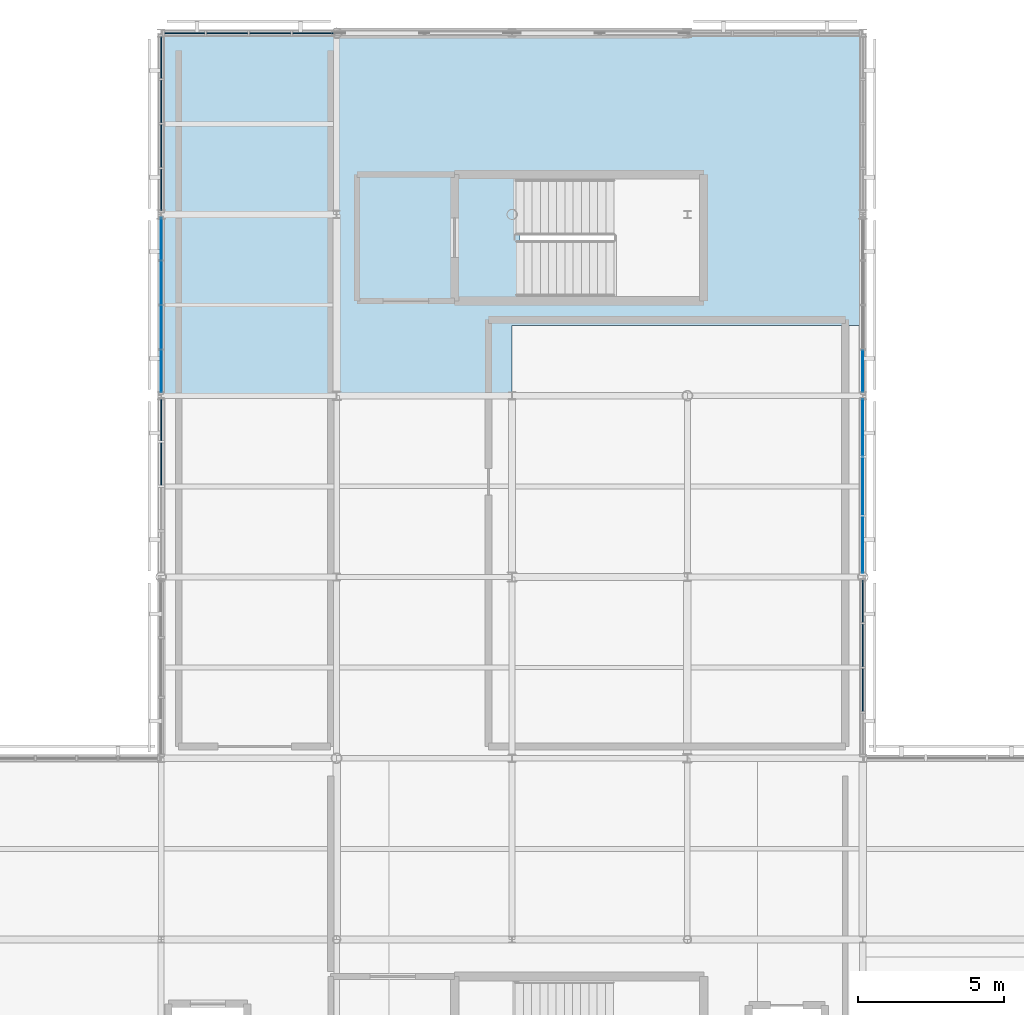
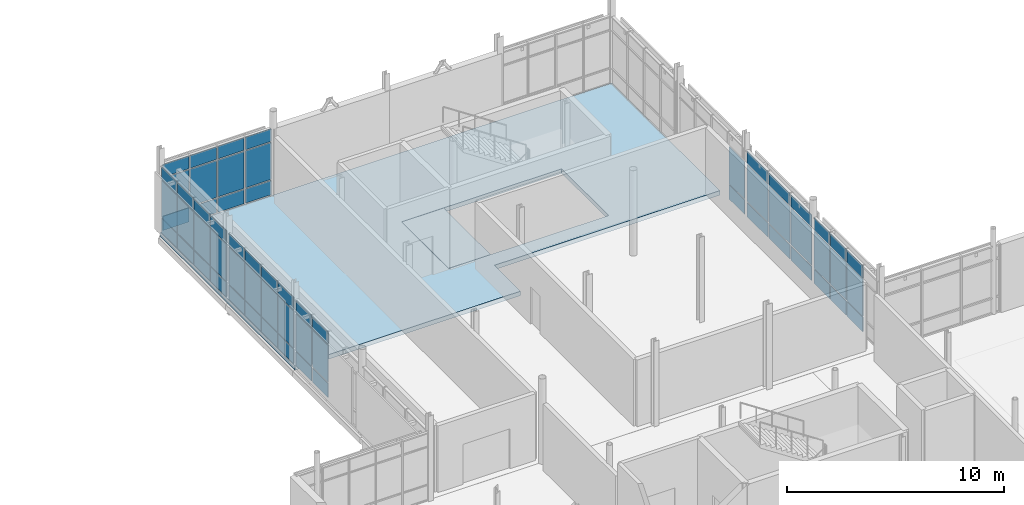
# One storey, part 41 of 66: 62 plates, 2 slabs, 7 elements without a shape of their own.
"""IFC4 building model written with IfcOpenShell, lengths in metres."""

from ifc_helpers import new_model, si_unit, direction, frame, origin, origin_2d, place, context, subcontext, project, spatial, polyline, rectangle, outline, extrude, material, layer, layer_set, type_object, element, aggregate, save


model = new_model("IFC4")

# Units and contexts
model_context = context("Model", 3, precision=1e-05, world=origin(), true_north=direction((0.0, 1.0)))
body_context = subcontext(model_context, "Body", "Model", "MODEL_VIEW")
ifc_project = project(units=[si_unit("LENGTHUNIT", "METRE"), si_unit("AREAUNIT", "SQUARE_METRE"), si_unit("VOLUMEUNIT", "CUBIC_METRE"), si_unit("PLANEANGLEUNIT", "RADIAN"), si_unit("MASSUNIT", "GRAM", prefix="KILO")], contexts=[model_context])

# Site, building, storey
site_placement = place(None, origin())
site = spatial("IfcSite", under=ifc_project, at=site_placement, CompositionType="ELEMENT")
building_placement = place(site_placement, origin())
building = spatial("IfcBuilding", under=site, at=building_placement, Name="Mirzam Square Science Centre", CompositionType="ELEMENT")
storey_placement = place(building_placement, frame((0.0, 0.0, 15.60009765625)))
storey = spatial("IfcBuildingStorey", under=building, at=storey_placement, Name="L03", CompositionType="ELEMENT", Elevation=15.60009765625)

# Curtain wall, plates
ifc_material_1 = material(Name="Anodised Aluminium and Low-E Solar Glass", Category="aluminium")
ifc_layer_1 = layer(ifc_material_1, 0.159912109375)
ifc_layer_set_1 = layer_set([ifc_layer_1], Name="CW-COURT-B")
curtain_wall_type_1 = type_object("IfcCurtainWallType", Name="CW-COURT-B", PredefinedType="USERDEFINED", material=ifc_layer_set_1)
curtain_wall_1_placement = place(storey_placement, origin())
curtain_wall_1 = element("IfcCurtainWall", 1, at=curtain_wall_1_placement, inside=storey, type_object=curtain_wall_type_1, Name="L03 unitised curtain wall 142", ObjectType="UNITISED CURTAIN WALL", PredefinedType="USERDEFINED")
ifc_material_2 = material(Name="Ceramic-Fritted Courtyard Solar Glass", Category="glass")
ifc_layer_2 = layer(ifc_material_2, 0.02392578125)
ifc_layer_set_2 = layer_set([ifc_layer_2], Name="CWP-GLZ-24")
plate_type_1 = type_object("IfcPlateType", Name="CWP-GLZ-24", PredefinedType="CURTAIN_PANEL", material=ifc_layer_set_2)
plate_1_placement = place(storey_placement, frame((114.0, 104.56884765625, 0.059814453125), z_axis=(0.0, 0.0, 1.0), x_axis=(0.0, -1.0, 0.0)))
plate_1 = element("IfcPlate", 2, at=plate_1_placement, type_object=plate_type_1, Name="CW-04 panel 1.1", PredefinedType="CURTAIN_PANEL", context=body_context, shape_type="SweptSolid", body=[
    extrude(rectangle(XDim=1.4326171875, YDim=0.02392578125, at=origin_2d()), origin(), (0.0, 0.0, 1.0), 0.81005859375),
])
plate_2_placement = place(storey_placement, frame((114.0, 104.56884765625, 0.929931640625), z_axis=(0.0, 0.0, 1.0), x_axis=(0.0, -1.0, 0.0)))
plate_2 = element("IfcPlate", 3, at=plate_2_placement, type_object=plate_type_1, Name="CW-04 panel 1.2", PredefinedType="CURTAIN_PANEL", context=body_context, shape_type="SweptSolid", body=[
    extrude(rectangle(XDim=1.4326171875, YDim=0.02392578125, at=origin_2d()), origin(), (0.0, 0.0, 1.0), 2.080078125),
])
plate_3_placement = place(storey_placement, frame((114.0, 104.56884765625, 3.06982421875), z_axis=(0.0, 0.0, 1.0), x_axis=(0.0, -1.0, 0.0)))
plate_3 = element("IfcPlate", 4, at=plate_3_placement, type_object=plate_type_1, Name="CW-04 panel 1.3", PredefinedType="CURTAIN_PANEL", context=body_context, shape_type="SweptSolid", body=[
    extrude(rectangle(XDim=1.4326171875, YDim=0.02392578125, at=origin_2d()), origin(), (0.0, 0.0, 1.0), 0.7099609375),
])
plate_4_placement = place(storey_placement, frame((114.0, 103.061279296875, 0.059814453125), z_axis=(0.0, 0.0, 1.0), x_axis=(0.0, -1.0, 0.0)))
plate_4 = element("IfcPlate", 5, at=plate_4_placement, type_object=plate_type_1, Name="CW-04 panel 2.1", PredefinedType="CURTAIN_PANEL", context=body_context, shape_type="SweptSolid", body=[
    extrude(rectangle(XDim=1.46240234375, YDim=0.02392578125, at=origin_2d()), origin(), (0.0, 0.0, 1.0), 0.81005859375),
])
plate_5_placement = place(storey_placement, frame((114.0, 103.061279296875, 0.929931640625), z_axis=(0.0, 0.0, 1.0), x_axis=(0.0, -1.0, 0.0)))
plate_5 = element("IfcPlate", 6, at=plate_5_placement, type_object=plate_type_1, Name="CW-04 panel 2.2", PredefinedType="CURTAIN_PANEL", context=body_context, shape_type="SweptSolid", body=[
    extrude(rectangle(XDim=1.46240234375, YDim=0.02392578125, at=origin_2d()), origin(), (0.0, 0.0, 1.0), 2.080078125),
])
plate_6_placement = place(storey_placement, frame((114.0, 103.061279296875, 3.06982421875), z_axis=(0.0, 0.0, 1.0), x_axis=(0.0, -1.0, 0.0)))
plate_6 = element("IfcPlate", 7, at=plate_6_placement, type_object=plate_type_1, Name="CW-04 panel 2.3", PredefinedType="CURTAIN_PANEL", context=body_context, shape_type="SweptSolid", body=[
    extrude(rectangle(XDim=1.46240234375, YDim=0.02392578125, at=origin_2d()), origin(), (0.0, 0.0, 1.0), 0.7099609375),
])
plate_7_placement = place(storey_placement, frame((114.0, 101.538818359375, 0.059814453125), z_axis=(0.0, 0.0, 1.0), x_axis=(0.0, -1.0, 0.0)))
plate_7 = element("IfcPlate", 8, at=plate_7_placement, type_object=plate_type_1, Name="CW-04 panel 3.1", PredefinedType="CURTAIN_PANEL", context=body_context, shape_type="SweptSolid", body=[
    extrude(rectangle(XDim=1.46240234375, YDim=0.02392578125, at=origin_2d()), origin(), (0.0, 0.0, 1.0), 0.81005859375),
])
plate_8_placement = place(storey_placement, frame((114.0, 101.538818359375, 0.929931640625), z_axis=(0.0, 0.0, 1.0), x_axis=(0.0, -1.0, 0.0)))
plate_8 = element("IfcPlate", 9, at=plate_8_placement, type_object=plate_type_1, Name="CW-04 panel 3.2", PredefinedType="CURTAIN_PANEL", context=body_context, shape_type="SweptSolid", body=[
    extrude(rectangle(XDim=1.46240234375, YDim=0.02392578125, at=origin_2d()), origin(), (0.0, 0.0, 1.0), 2.080078125),
])
plate_9_placement = place(storey_placement, frame((114.0, 101.538818359375, 3.06982421875), z_axis=(0.0, 0.0, 1.0), x_axis=(0.0, -1.0, 0.0)))
plate_9 = element("IfcPlate", 10, at=plate_9_placement, type_object=plate_type_1, Name="CW-04 panel 3.3", PredefinedType="CURTAIN_PANEL", context=body_context, shape_type="SweptSolid", body=[
    extrude(rectangle(XDim=1.46240234375, YDim=0.02392578125, at=origin_2d()), origin(), (0.0, 0.0, 1.0), 0.7099609375),
])
plate_10_placement = place(storey_placement, frame((114.0, 100.03125, 0.059814453125), z_axis=(0.0, 0.0, 1.0), x_axis=(0.0, -1.0, 0.0)))
plate_10 = element("IfcPlate", 11, at=plate_10_placement, type_object=plate_type_1, Name="CW-04 panel 4.1", PredefinedType="CURTAIN_PANEL", context=body_context, shape_type="SweptSolid", body=[
    extrude(rectangle(XDim=1.4326171875, YDim=0.02392578125, at=origin_2d()), origin(), (0.0, 0.0, 1.0), 0.81005859375),
])
plate_11_placement = place(storey_placement, frame((114.0, 100.03125, 0.929931640625), z_axis=(0.0, 0.0, 1.0), x_axis=(0.0, -1.0, 0.0)))
plate_11 = element("IfcPlate", 12, at=plate_11_placement, type_object=plate_type_1, Name="CW-04 panel 4.2", PredefinedType="CURTAIN_PANEL", context=body_context, shape_type="SweptSolid", body=[
    extrude(rectangle(XDim=1.4326171875, YDim=0.02392578125, at=origin_2d()), origin(), (0.0, 0.0, 1.0), 2.080078125),
])
plate_12_placement = place(storey_placement, frame((114.0, 100.03125, 3.06982421875), z_axis=(0.0, 0.0, 1.0), x_axis=(0.0, -1.0, 0.0)))
plate_12 = element("IfcPlate", 13, at=plate_12_placement, type_object=plate_type_1, Name="CW-04 panel 4.3", PredefinedType="CURTAIN_PANEL", context=body_context, shape_type="SweptSolid", body=[
    extrude(rectangle(XDim=1.4326171875, YDim=0.02392578125, at=origin_2d()), origin(), (0.0, 0.0, 1.0), 0.7099609375),
])
aggregate(curtain_wall_1, [plate_1, plate_2, plate_3, plate_4, plate_5, plate_6, plate_7, plate_8, plate_9, plate_10, plate_11, plate_12])

ifc_layer_3 = layer(ifc_material_1, 0.239990234375)
ifc_layer_set_3 = layer_set([ifc_layer_3], Name="CW-EAST-B")
curtain_wall_type_2 = type_object("IfcCurtainWallType", Name="CW-EAST-B", PredefinedType="USERDEFINED", material=ifc_layer_set_3)
curtain_wall_2_placement = place(storey_placement, origin())
curtain_wall_2 = element("IfcCurtainWall", 14, at=curtain_wall_2_placement, inside=storey, type_object=curtain_wall_type_2, Name="L03 unitised curtain wall 141", ObjectType="UNITISED CURTAIN WALL", PredefinedType="USERDEFINED")
ifc_material_3 = material(Name="Double-Silver Low-E Insulated Solar Glass", Category="glass")
ifc_layer_4 = layer(ifc_material_3, 0.028076171875)
ifc_layer_set_4 = layer_set([ifc_layer_4], Name="CWP-GLZ-28")
plate_type_2 = type_object("IfcPlateType", Name="CWP-GLZ-28", PredefinedType="CURTAIN_PANEL", material=ifc_layer_set_4)
plate_13_placement = place(storey_placement, frame((138.0, 94.0888671875, 0.074951171875), z_axis=(0.0, 0.0, 1.0), x_axis=(0.0, 1.0, 0.0)))
plate_13 = element("IfcPlate", 15, at=plate_13_placement, type_object=plate_type_2, Name="CW-06 panel 1.1", PredefinedType="CURTAIN_PANEL", context=body_context, shape_type="SweptSolid", body=[
    extrude(rectangle(XDim=1.91748046875, YDim=0.028076171875, at=origin_2d()), origin(), (0.0, 0.0, 1.0), 0.78759765625),
])
plate_14_placement = place(storey_placement, frame((138.0, 94.0888671875, 0.9375), z_axis=(0.0, 0.0, 1.0), x_axis=(0.0, 1.0, 0.0)))
plate_14 = element("IfcPlate", 16, at=plate_14_placement, type_object=plate_type_2, Name="CW-06 panel 1.2", PredefinedType="CURTAIN_PANEL", context=body_context, shape_type="SweptSolid", body=[
    extrude(rectangle(XDim=1.91748046875, YDim=0.028076171875, at=origin_2d()), origin(), (0.0, 0.0, 1.0), 2.06494140625),
])
plate_15_placement = place(storey_placement, frame((138.0, 94.0888671875, 3.077392578125), z_axis=(0.0, 0.0, 1.0), x_axis=(0.0, 1.0, 0.0)))
plate_15 = element("IfcPlate", 17, at=plate_15_placement, type_object=plate_type_2, Name="CW-06 panel 1.3", PredefinedType="CURTAIN_PANEL", context=body_context, shape_type="SweptSolid", body=[
    extrude(rectangle(XDim=1.91748046875, YDim=0.028076171875, at=origin_2d()), origin(), (0.0, 0.0, 1.0), 0.6875),
])
plate_16_placement = place(storey_placement, frame((138.0, 96.10009765625, 0.074951171875), z_axis=(0.0, 0.0, 1.0), x_axis=(0.0, 1.0, 0.0)))
plate_16 = element("IfcPlate", 18, at=plate_16_placement, type_object=plate_type_2, Name="CW-06 panel 2.1", PredefinedType="CURTAIN_PANEL", context=body_context, shape_type="SweptSolid", body=[
    extrude(rectangle(XDim=1.955078125, YDim=0.028076171875, at=origin_2d()), origin(), (0.0, 0.0, 1.0), 0.78759765625),
])
plate_17_placement = place(storey_placement, frame((138.0, 96.10009765625, 0.9375), z_axis=(0.0, 0.0, 1.0), x_axis=(0.0, 1.0, 0.0)))
plate_17 = element("IfcPlate", 19, at=plate_17_placement, type_object=plate_type_2, Name="CW-06 panel 2.2", PredefinedType="CURTAIN_PANEL", context=body_context, shape_type="SweptSolid", body=[
    extrude(rectangle(XDim=1.955078125, YDim=0.028076171875, at=origin_2d()), origin(), (0.0, 0.0, 1.0), 2.06494140625),
])
plate_18_placement = place(storey_placement, frame((138.0, 96.10009765625, 3.077392578125), z_axis=(0.0, 0.0, 1.0), x_axis=(0.0, 1.0, 0.0)))
plate_18 = element("IfcPlate", 20, at=plate_18_placement, type_object=plate_type_2, Name="CW-06 panel 2.3", PredefinedType="CURTAIN_PANEL", context=body_context, shape_type="SweptSolid", body=[
    extrude(rectangle(XDim=1.955078125, YDim=0.028076171875, at=origin_2d()), origin(), (0.0, 0.0, 1.0), 0.6875),
])
plate_19_placement = place(storey_placement, frame((138.0, 98.111328125, 0.074951171875), z_axis=(0.0, 0.0, 1.0), x_axis=(0.0, 1.0, 0.0)))
plate_19 = element("IfcPlate", 21, at=plate_19_placement, type_object=plate_type_2, Name="CW-06 panel 3.1", PredefinedType="CURTAIN_PANEL", context=body_context, shape_type="SweptSolid", body=[
    extrude(rectangle(XDim=1.91748046875, YDim=0.028076171875, at=origin_2d()), origin(), (0.0, 0.0, 1.0), 0.78759765625),
])
plate_20_placement = place(storey_placement, frame((138.0, 98.111328125, 0.9375), z_axis=(0.0, 0.0, 1.0), x_axis=(0.0, 1.0, 0.0)))
plate_20 = element("IfcPlate", 22, at=plate_20_placement, type_object=plate_type_2, Name="CW-06 panel 3.2", PredefinedType="CURTAIN_PANEL", context=body_context, shape_type="SweptSolid", body=[
    extrude(rectangle(XDim=1.91748046875, YDim=0.028076171875, at=origin_2d()), origin(), (0.0, 0.0, 1.0), 2.06494140625),
])
plate_21_placement = place(storey_placement, frame((138.0, 98.111328125, 3.077392578125), z_axis=(0.0, 0.0, 1.0), x_axis=(0.0, 1.0, 0.0)))
plate_21 = element("IfcPlate", 23, at=plate_21_placement, type_object=plate_type_2, Name="CW-06 panel 3.3", PredefinedType="CURTAIN_PANEL", context=body_context, shape_type="SweptSolid", body=[
    extrude(rectangle(XDim=1.91748046875, YDim=0.028076171875, at=origin_2d()), origin(), (0.0, 0.0, 1.0), 0.6875),
])
aggregate(curtain_wall_2, [plate_13, plate_14, plate_15, plate_16, plate_17, plate_18, plate_19, plate_20, plate_21])

ifc_layer_5 = layer(ifc_material_1, 0.219970703125)
ifc_layer_set_5 = layer_set([ifc_layer_5], Name="CW-OBS-A")
curtain_wall_type_3 = type_object("IfcCurtainWallType", Name="CW-OBS-A", PredefinedType="USERDEFINED", material=ifc_layer_set_5)
curtain_wall_3_placement = place(storey_placement, origin())
curtain_wall_3 = element("IfcCurtainWall", 24, at=curtain_wall_3_placement, inside=storey, type_object=curtain_wall_type_3, Name="L03 unitised curtain wall 143", ObjectType="UNITISED CURTAIN WALL", PredefinedType="USERDEFINED")
ifc_material_4 = material(Name="Triple-Glazed Acoustic Low-E Solar Glass", Category="glass")
ifc_layer_6 = layer(ifc_material_4, 0.031982421875)
ifc_layer_set_6 = layer_set([ifc_layer_6], Name="CWP-GLZ-32")
plate_type_3 = type_object("IfcPlateType", Name="CWP-GLZ-32", PredefinedType="CURTAIN_PANEL", material=ifc_layer_set_6)
plate_22_placement = place(storey_placement, frame((138.0, 100.03125, 0.059814453125), z_axis=(0.0, 0.0, 1.0), x_axis=(0.0, 1.0, 0.0)))
plate_22 = element("IfcPlate", 25, at=plate_22_placement, type_object=plate_type_3, Name="CW-07 panel 1.1", PredefinedType="CURTAIN_PANEL", context=body_context, shape_type="SweptSolid", body=[
    extrude(rectangle(XDim=1.4326171875, YDim=0.031982421875, at=origin_2d()), origin(), (0.0, 0.0, 1.0), 0.81005859375),
])
plate_23_placement = place(storey_placement, frame((138.0, 100.03125, 0.929931640625), z_axis=(0.0, 0.0, 1.0), x_axis=(0.0, 1.0, 0.0)))
plate_23 = element("IfcPlate", 26, at=plate_23_placement, type_object=plate_type_3, Name="CW-07 panel 1.2", PredefinedType="CURTAIN_PANEL", context=body_context, shape_type="SweptSolid", body=[
    extrude(rectangle(XDim=1.4326171875, YDim=0.031982421875, at=origin_2d()), origin(), (0.0, 0.0, 1.0), 2.080078125),
])
aggregate(curtain_wall_3, [plate_22, plate_23])

ifc_layer_7 = layer(ifc_material_1, 0.159912109375)
ifc_layer_set_7 = layer_set([ifc_layer_7], Name="CW-COURT-A")
curtain_wall_type_4 = type_object("IfcCurtainWallType", Name="CW-COURT-A", PredefinedType="USERDEFINED", material=ifc_layer_set_7)
curtain_wall_4_placement = place(storey_placement, origin())
curtain_wall_4 = element("IfcCurtainWall", 27, at=curtain_wall_4_placement, inside=storey, type_object=curtain_wall_type_4, Name="L03 unitised curtain wall 140", ObjectType="UNITISED CURTAIN WALL", PredefinedType="USERDEFINED")
ifc_material_5 = material(Name="Laminated Low-Iron Observatory Solar Glass", Category="glass")
ifc_layer_8 = layer(ifc_material_5, 0.035888671875)
ifc_layer_set_8 = layer_set([ifc_layer_8], Name="CWP-GLZ-36")
plate_type_4 = type_object("IfcPlateType", Name="CWP-GLZ-36", PredefinedType="CURTAIN_PANEL", material=ifc_layer_set_8)
plate_24_placement = place(storey_placement, frame((114.0, 98.364990234375, 0.074951171875), z_axis=(0.0, 0.0, 1.0), x_axis=(0.0, -1.0, 0.0)))
plate_24 = element("IfcPlate", 28, at=plate_24_placement, type_object=plate_type_4, Name="CW-03 panel 1.1", PredefinedType="CURTAIN_PANEL", context=body_context, shape_type="SweptSolid", body=[
    extrude(rectangle(XDim=1.409912109375, YDim=0.035888671875, at=origin_2d()), origin(), (0.0, 0.0, 1.0), 0.78759765625),
])
plate_25_placement = place(storey_placement, frame((114.0, 98.364990234375, 0.9375), z_axis=(0.0, 0.0, 1.0), x_axis=(0.0, -1.0, 0.0)))
plate_25 = element("IfcPlate", 29, at=plate_25_placement, type_object=plate_type_4, Name="CW-03 panel 1.2", PredefinedType="CURTAIN_PANEL", context=body_context, shape_type="SweptSolid", body=[
    extrude(rectangle(XDim=1.409912109375, YDim=0.035888671875, at=origin_2d()), origin(), (0.0, 0.0, 1.0), 2.06494140625),
])
plate_26_placement = place(storey_placement, frame((114.0, 98.364990234375, 3.077392578125), z_axis=(0.0, 0.0, 1.0), x_axis=(0.0, -1.0, 0.0)))
plate_26 = element("IfcPlate", 30, at=plate_26_placement, type_object=plate_type_4, Name="CW-03 panel 1.3", PredefinedType="CURTAIN_PANEL", context=body_context, shape_type="SweptSolid", body=[
    extrude(rectangle(XDim=1.409912109375, YDim=0.035888671875, at=origin_2d()), origin(), (0.0, 0.0, 1.0), 0.6875),
])
plate_27_placement = place(storey_placement, frame((114.0, 96.861328125, 0.074951171875), z_axis=(0.0, 0.0, 1.0), x_axis=(0.0, -1.0, 0.0)))
plate_27 = element("IfcPlate", 31, at=plate_27_placement, type_object=plate_type_4, Name="CW-03 panel 2.1", PredefinedType="CURTAIN_PANEL", context=body_context, shape_type="SweptSolid", body=[
    extrude(rectangle(XDim=1.447509765625, YDim=0.035888671875, at=origin_2d()), origin(), (0.0, 0.0, 1.0), 0.78759765625),
])
plate_28_placement = place(storey_placement, frame((114.0, 96.861328125, 0.9375), z_axis=(0.0, 0.0, 1.0), x_axis=(0.0, -1.0, 0.0)))
plate_28 = element("IfcPlate", 32, at=plate_28_placement, type_object=plate_type_4, Name="CW-03 panel 2.2", PredefinedType="CURTAIN_PANEL", context=body_context, shape_type="SweptSolid", body=[
    extrude(rectangle(XDim=1.447509765625, YDim=0.035888671875, at=origin_2d()), origin(), (0.0, 0.0, 1.0), 2.06494140625),
])
plate_29_placement = place(storey_placement, frame((114.0, 96.861328125, 3.077392578125), z_axis=(0.0, 0.0, 1.0), x_axis=(0.0, -1.0, 0.0)))
plate_29 = element("IfcPlate", 33, at=plate_29_placement, type_object=plate_type_4, Name="CW-03 panel 2.3", PredefinedType="CURTAIN_PANEL", context=body_context, shape_type="SweptSolid", body=[
    extrude(rectangle(XDim=1.447509765625, YDim=0.035888671875, at=origin_2d()), origin(), (0.0, 0.0, 1.0), 0.6875),
])
aggregate(curtain_wall_4, [plate_24, plate_25, plate_26, plate_27, plate_28, plate_29])

curtain_wall_5_placement = place(storey_placement, origin())
curtain_wall_5 = element("IfcCurtainWall", 34, at=curtain_wall_5_placement, inside=storey, type_object=curtain_wall_type_1, Name="L03 unitised curtain wall 136", ObjectType="UNITISED CURTAIN WALL", PredefinedType="USERDEFINED")
ifc_material_6 = material(Name="Acoustic Laminated Solar Spandrel Glass", Category="glass")
ifc_layer_9 = layer(ifc_material_6, 0.0400390625)
ifc_layer_set_9 = layer_set([ifc_layer_9], Name="CWP-GLZ-40")
plate_type_5 = type_object("IfcPlateType", Name="CWP-GLZ-40", PredefinedType="CURTAIN_PANEL", material=ifc_layer_set_9)
plate_30_placement = place(storey_placement, frame((119.1923828125, 111.60009765625, 0.06494140625), z_axis=(0.0, 0.0, 1.0), x_axis=(-1.0, 0.0, 0.0)))
plate_30 = element("IfcPlate", 35, at=plate_30_placement, type_object=plate_type_5, Name="CW-04 panel 1.1", PredefinedType="CURTAIN_PANEL", context=body_context, shape_type="SweptSolid", body=[
    extrude(rectangle(XDim=1.375, YDim=0.0400390625, at=origin_2d()), origin(), (0.0, 0.0, 1.0), 0.802490234375),
])
plate_31_placement = place(storey_placement, frame((119.1923828125, 111.60009765625, 0.9326171875), z_axis=(0.0, 0.0, 1.0), x_axis=(-1.0, 0.0, 0.0)))
plate_31 = element("IfcPlate", 36, at=plate_31_placement, type_object=plate_type_5, Name="CW-04 panel 1.2", PredefinedType="CURTAIN_PANEL", context=body_context, shape_type="SweptSolid", body=[
    extrude(rectangle(XDim=1.375, YDim=0.0400390625, at=origin_2d()), origin(), (0.0, 0.0, 1.0), 2.074951171875),
])
plate_32_placement = place(storey_placement, frame((119.1923828125, 111.60009765625, 3.072265625), z_axis=(0.0, 0.0, 1.0), x_axis=(-1.0, 0.0, 0.0)))
plate_32 = element("IfcPlate", 37, at=plate_32_placement, type_object=plate_type_5, Name="CW-04 panel 1.3", PredefinedType="CURTAIN_PANEL", context=body_context, shape_type="SweptSolid", body=[
    extrude(rectangle(XDim=1.375, YDim=0.0400390625, at=origin_2d()), origin(), (0.0, 0.0, 1.0), 0.702392578125),
])
plate_33_placement = place(storey_placement, frame((117.736328125, 111.60009765625, 0.06494140625), z_axis=(0.0, 0.0, 1.0), x_axis=(-1.0, 0.0, 0.0)))
plate_33 = element("IfcPlate", 38, at=plate_33_placement, type_object=plate_type_5, Name="CW-04 panel 2.1", PredefinedType="CURTAIN_PANEL", context=body_context, shape_type="SweptSolid", body=[
    extrude(rectangle(XDim=1.407470703125, YDim=0.0400390625, at=origin_2d()), origin(), (0.0, 0.0, 1.0), 0.802490234375),
])
plate_34_placement = place(storey_placement, frame((117.736328125, 111.60009765625, 0.9326171875), z_axis=(0.0, 0.0, 1.0), x_axis=(-1.0, 0.0, 0.0)))
plate_34 = element("IfcPlate", 39, at=plate_34_placement, type_object=plate_type_5, Name="CW-04 panel 2.2", PredefinedType="CURTAIN_PANEL", context=body_context, shape_type="SweptSolid", body=[
    extrude(rectangle(XDim=1.407470703125, YDim=0.0400390625, at=origin_2d()), origin(), (0.0, 0.0, 1.0), 2.074951171875),
])
plate_35_placement = place(storey_placement, frame((117.736328125, 111.60009765625, 3.072265625), z_axis=(0.0, 0.0, 1.0), x_axis=(-1.0, 0.0, 0.0)))
plate_35 = element("IfcPlate", 40, at=plate_35_placement, type_object=plate_type_5, Name="CW-04 panel 2.3", PredefinedType="CURTAIN_PANEL", context=body_context, shape_type="SweptSolid", body=[
    extrude(rectangle(XDim=1.407470703125, YDim=0.0400390625, at=origin_2d()), origin(), (0.0, 0.0, 1.0), 0.702392578125),
])
plate_36_placement = place(storey_placement, frame((116.263671875, 111.60009765625, 0.06494140625), z_axis=(0.0, 0.0, 1.0), x_axis=(-1.0, 0.0, 0.0)))
plate_36 = element("IfcPlate", 41, at=plate_36_placement, type_object=plate_type_5, Name="CW-04 panel 3.1", PredefinedType="CURTAIN_PANEL", context=body_context, shape_type="SweptSolid", body=[
    extrude(rectangle(XDim=1.407470703125, YDim=0.0400390625, at=origin_2d()), origin(), (0.0, 0.0, 1.0), 0.802490234375),
])
plate_37_placement = place(storey_placement, frame((116.263671875, 111.60009765625, 0.9326171875), z_axis=(0.0, 0.0, 1.0), x_axis=(-1.0, 0.0, 0.0)))
plate_37 = element("IfcPlate", 42, at=plate_37_placement, type_object=plate_type_5, Name="CW-04 panel 3.2", PredefinedType="CURTAIN_PANEL", context=body_context, shape_type="SweptSolid", body=[
    extrude(rectangle(XDim=1.407470703125, YDim=0.0400390625, at=origin_2d()), origin(), (0.0, 0.0, 1.0), 2.074951171875),
])
plate_38_placement = place(storey_placement, frame((116.263671875, 111.60009765625, 3.072265625), z_axis=(0.0, 0.0, 1.0), x_axis=(-1.0, 0.0, 0.0)))
plate_38 = element("IfcPlate", 43, at=plate_38_placement, type_object=plate_type_5, Name="CW-04 panel 3.3", PredefinedType="CURTAIN_PANEL", context=body_context, shape_type="SweptSolid", body=[
    extrude(rectangle(XDim=1.407470703125, YDim=0.0400390625, at=origin_2d()), origin(), (0.0, 0.0, 1.0), 0.702392578125),
])
plate_39_placement = place(storey_placement, frame((114.8076171875, 111.60009765625, 0.06494140625), z_axis=(0.0, 0.0, 1.0), x_axis=(-1.0, 0.0, 0.0)))
plate_39 = element("IfcPlate", 44, at=plate_39_placement, type_object=plate_type_5, Name="CW-04 panel 4.1", PredefinedType="CURTAIN_PANEL", context=body_context, shape_type="SweptSolid", body=[
    extrude(rectangle(XDim=1.375, YDim=0.0400390625, at=origin_2d()), origin(), (0.0, 0.0, 1.0), 0.802490234375),
])
plate_40_placement = place(storey_placement, frame((114.8076171875, 111.60009765625, 0.9326171875), z_axis=(0.0, 0.0, 1.0), x_axis=(-1.0, 0.0, 0.0)))
plate_40 = element("IfcPlate", 45, at=plate_40_placement, type_object=plate_type_5, Name="CW-04 panel 4.2", PredefinedType="CURTAIN_PANEL", context=body_context, shape_type="SweptSolid", body=[
    extrude(rectangle(XDim=1.375, YDim=0.0400390625, at=origin_2d()), origin(), (0.0, 0.0, 1.0), 2.074951171875),
])
plate_41_placement = place(storey_placement, frame((114.8076171875, 111.60009765625, 3.072265625), z_axis=(0.0, 0.0, 1.0), x_axis=(-1.0, 0.0, 0.0)))
plate_41 = element("IfcPlate", 46, at=plate_41_placement, type_object=plate_type_5, Name="CW-04 panel 4.3", PredefinedType="CURTAIN_PANEL", context=body_context, shape_type="SweptSolid", body=[
    extrude(rectangle(XDim=1.375, YDim=0.0400390625, at=origin_2d()), origin(), (0.0, 0.0, 1.0), 0.702392578125),
])
aggregate(curtain_wall_5, [plate_30, plate_31, plate_32, plate_33, plate_34, plate_35, plate_36, plate_37, plate_38, plate_39, plate_40, plate_41])

ifc_layer_10 = layer(ifc_material_1, 0.199951171875)
ifc_layer_set_10 = layer_set([ifc_layer_10], Name="CW-EAST-A")
curtain_wall_type_5 = type_object("IfcCurtainWallType", Name="CW-EAST-A", PredefinedType="USERDEFINED", material=ifc_layer_set_10)
curtain_wall_6_placement = place(storey_placement, origin())
curtain_wall_6 = element("IfcCurtainWall", 47, at=curtain_wall_6_placement, inside=storey, type_object=curtain_wall_type_5, Name="L03 unitised curtain wall 139", ObjectType="UNITISED CURTAIN WALL", PredefinedType="USERDEFINED")
plate_42_placement = place(storey_placement, frame((138.0, 89.138671875, 0.06494140625), z_axis=(0.0, 0.0, 1.0), x_axis=(0.0, 1.0, 0.0)))
plate_42 = element("IfcPlate", 48, at=plate_42_placement, type_object=plate_type_5, Name="CW-05 panel 2.1", PredefinedType="CURTAIN_PANEL", context=body_context, shape_type="SweptSolid", body=[
    extrude(rectangle(XDim=1.45751953125, YDim=0.0400390625, at=origin_2d()), origin(), (0.0, 0.0, 1.0), 0.802490234375),
])
plate_43_placement = place(storey_placement, frame((138.0, 89.138671875, 0.9326171875), z_axis=(0.0, 0.0, 1.0), x_axis=(0.0, 1.0, 0.0)))
plate_43 = element("IfcPlate", 49, at=plate_43_placement, type_object=plate_type_5, Name="CW-05 panel 2.2", PredefinedType="CURTAIN_PANEL", context=body_context, shape_type="SweptSolid", body=[
    extrude(rectangle(XDim=1.45751953125, YDim=0.0400390625, at=origin_2d()), origin(), (0.0, 0.0, 1.0), 2.074951171875),
])
plate_44_placement = place(storey_placement, frame((138.0, 89.138671875, 3.072265625), z_axis=(0.0, 0.0, 1.0), x_axis=(0.0, 1.0, 0.0)))
plate_44 = element("IfcPlate", 50, at=plate_44_placement, type_object=plate_type_5, Name="CW-05 panel 2.3", PredefinedType="CURTAIN_PANEL", context=body_context, shape_type="SweptSolid", body=[
    extrude(rectangle(XDim=1.45751953125, YDim=0.0400390625, at=origin_2d()), origin(), (0.0, 0.0, 1.0), 0.702392578125),
])
plate_45_placement = place(storey_placement, frame((138.0, 90.6611328125, 0.06494140625), z_axis=(0.0, 0.0, 1.0), x_axis=(0.0, 1.0, 0.0)))
plate_45 = element("IfcPlate", 51, at=plate_45_placement, type_object=plate_type_5, Name="CW-05 panel 3.1", PredefinedType="CURTAIN_PANEL", context=body_context, shape_type="SweptSolid", body=[
    extrude(rectangle(XDim=1.45751953125, YDim=0.0400390625, at=origin_2d()), origin(), (0.0, 0.0, 1.0), 0.802490234375),
])
plate_46_placement = place(storey_placement, frame((138.0, 90.6611328125, 0.9326171875), z_axis=(0.0, 0.0, 1.0), x_axis=(0.0, 1.0, 0.0)))
plate_46 = element("IfcPlate", 52, at=plate_46_placement, type_object=plate_type_5, Name="CW-05 panel 3.2", PredefinedType="CURTAIN_PANEL", context=body_context, shape_type="SweptSolid", body=[
    extrude(rectangle(XDim=1.45751953125, YDim=0.0400390625, at=origin_2d()), origin(), (0.0, 0.0, 1.0), 2.074951171875),
])
plate_47_placement = place(storey_placement, frame((138.0, 90.6611328125, 3.072265625), z_axis=(0.0, 0.0, 1.0), x_axis=(0.0, 1.0, 0.0)))
plate_47 = element("IfcPlate", 53, at=plate_47_placement, type_object=plate_type_5, Name="CW-05 panel 3.3", PredefinedType="CURTAIN_PANEL", context=body_context, shape_type="SweptSolid", body=[
    extrude(rectangle(XDim=1.45751953125, YDim=0.0400390625, at=origin_2d()), origin(), (0.0, 0.0, 1.0), 0.702392578125),
])
plate_48_placement = place(storey_placement, frame((138.0, 92.16748046875, 0.06494140625), z_axis=(0.0, 0.0, 1.0), x_axis=(0.0, 1.0, 0.0)))
plate_48 = element("IfcPlate", 54, at=plate_48_placement, type_object=plate_type_5, Name="CW-05 panel 4.1", PredefinedType="CURTAIN_PANEL", context=body_context, shape_type="SweptSolid", body=[
    extrude(rectangle(XDim=1.425048828125, YDim=0.0400390625, at=origin_2d()), origin(), (0.0, 0.0, 1.0), 0.802490234375),
])
plate_49_placement = place(storey_placement, frame((138.0, 92.16748046875, 0.9326171875), z_axis=(0.0, 0.0, 1.0), x_axis=(0.0, 1.0, 0.0)))
plate_49 = element("IfcPlate", 55, at=plate_49_placement, type_object=plate_type_5, Name="CW-05 panel 4.2", PredefinedType="CURTAIN_PANEL", context=body_context, shape_type="SweptSolid", body=[
    extrude(rectangle(XDim=1.425048828125, YDim=0.0400390625, at=origin_2d()), origin(), (0.0, 0.0, 1.0), 2.074951171875),
])
plate_50_placement = place(storey_placement, frame((138.0, 92.16748046875, 3.072265625), z_axis=(0.0, 0.0, 1.0), x_axis=(0.0, 1.0, 0.0)))
plate_50 = element("IfcPlate", 56, at=plate_50_placement, type_object=plate_type_5, Name="CW-05 panel 4.3", PredefinedType="CURTAIN_PANEL", context=body_context, shape_type="SweptSolid", body=[
    extrude(rectangle(XDim=1.425048828125, YDim=0.0400390625, at=origin_2d()), origin(), (0.0, 0.0, 1.0), 0.702392578125),
])
aggregate(curtain_wall_6, [plate_42, plate_43, plate_44, plate_45, plate_46, plate_47, plate_48, plate_49, plate_50])

curtain_wall_7_placement = place(storey_placement, origin())
curtain_wall_7 = element("IfcCurtainWall", 57, at=curtain_wall_7_placement, inside=storey, type_object=curtain_wall_type_5, Name="L03 unitised curtain wall 144", ObjectType="UNITISED CURTAIN WALL", PredefinedType="USERDEFINED")
plate_51_placement = place(storey_placement, frame((114.0, 110.767578125, 0.06494140625), z_axis=(0.0, 0.0, 1.0), x_axis=(0.0, -1.0, 0.0)))
plate_51 = element("IfcPlate", 58, at=plate_51_placement, type_object=plate_type_5, Name="CW-05 panel 1.1", PredefinedType="CURTAIN_PANEL", context=body_context, shape_type="SweptSolid", body=[
    extrude(rectangle(XDim=1.425048828125, YDim=0.0400390625, at=origin_2d()), origin(), (0.0, 0.0, 1.0), 0.802490234375),
])
plate_52_placement = place(storey_placement, frame((114.0, 110.767578125, 0.9326171875), z_axis=(0.0, 0.0, 1.0), x_axis=(0.0, -1.0, 0.0)))
plate_52 = element("IfcPlate", 59, at=plate_52_placement, type_object=plate_type_5, Name="CW-05 panel 1.2", PredefinedType="CURTAIN_PANEL", context=body_context, shape_type="SweptSolid", body=[
    extrude(rectangle(XDim=1.425048828125, YDim=0.0400390625, at=origin_2d()), origin(), (0.0, 0.0, 1.0), 2.074951171875),
])
plate_53_placement = place(storey_placement, frame((114.0, 110.767578125, 3.072265625), z_axis=(0.0, 0.0, 1.0), x_axis=(0.0, -1.0, 0.0)))
plate_53 = element("IfcPlate", 60, at=plate_53_placement, type_object=plate_type_5, Name="CW-05 panel 1.3", PredefinedType="CURTAIN_PANEL", context=body_context, shape_type="SweptSolid", body=[
    extrude(rectangle(XDim=1.425048828125, YDim=0.0400390625, at=origin_2d()), origin(), (0.0, 0.0, 1.0), 0.702392578125),
])
plate_54_placement = place(storey_placement, frame((114.0, 109.26123046875, 0.06494140625), z_axis=(0.0, 0.0, 1.0), x_axis=(0.0, -1.0, 0.0)))
plate_54 = element("IfcPlate", 61, at=plate_54_placement, type_object=plate_type_5, Name="CW-05 panel 2.1", PredefinedType="CURTAIN_PANEL", context=body_context, shape_type="SweptSolid", body=[
    extrude(rectangle(XDim=1.45751953125, YDim=0.0400390625, at=origin_2d()), origin(), (0.0, 0.0, 1.0), 0.802490234375),
])
plate_55_placement = place(storey_placement, frame((114.0, 109.26123046875, 0.9326171875), z_axis=(0.0, 0.0, 1.0), x_axis=(0.0, -1.0, 0.0)))
plate_55 = element("IfcPlate", 62, at=plate_55_placement, type_object=plate_type_5, Name="CW-05 panel 2.2", PredefinedType="CURTAIN_PANEL", context=body_context, shape_type="SweptSolid", body=[
    extrude(rectangle(XDim=1.45751953125, YDim=0.0400390625, at=origin_2d()), origin(), (0.0, 0.0, 1.0), 2.074951171875),
])
plate_56_placement = place(storey_placement, frame((114.0, 109.26123046875, 3.072265625), z_axis=(0.0, 0.0, 1.0), x_axis=(0.0, -1.0, 0.0)))
plate_56 = element("IfcPlate", 63, at=plate_56_placement, type_object=plate_type_5, Name="CW-05 panel 2.3", PredefinedType="CURTAIN_PANEL", context=body_context, shape_type="SweptSolid", body=[
    extrude(rectangle(XDim=1.45751953125, YDim=0.0400390625, at=origin_2d()), origin(), (0.0, 0.0, 1.0), 0.702392578125),
])
plate_57_placement = place(storey_placement, frame((114.0, 107.73876953125, 0.06494140625), z_axis=(0.0, 0.0, 1.0), x_axis=(0.0, -1.0, 0.0)))
plate_57 = element("IfcPlate", 64, at=plate_57_placement, type_object=plate_type_5, Name="CW-05 panel 3.1", PredefinedType="CURTAIN_PANEL", context=body_context, shape_type="SweptSolid", body=[
    extrude(rectangle(XDim=1.45751953125, YDim=0.0400390625, at=origin_2d()), origin(), (0.0, 0.0, 1.0), 0.802490234375),
])
plate_58_placement = place(storey_placement, frame((114.0, 107.73876953125, 0.9326171875), z_axis=(0.0, 0.0, 1.0), x_axis=(0.0, -1.0, 0.0)))
plate_58 = element("IfcPlate", 65, at=plate_58_placement, type_object=plate_type_5, Name="CW-05 panel 3.2", PredefinedType="CURTAIN_PANEL", context=body_context, shape_type="SweptSolid", body=[
    extrude(rectangle(XDim=1.45751953125, YDim=0.0400390625, at=origin_2d()), origin(), (0.0, 0.0, 1.0), 2.074951171875),
])
plate_59_placement = place(storey_placement, frame((114.0, 107.73876953125, 3.072265625), z_axis=(0.0, 0.0, 1.0), x_axis=(0.0, -1.0, 0.0)))
plate_59 = element("IfcPlate", 66, at=plate_59_placement, type_object=plate_type_5, Name="CW-05 panel 3.3", PredefinedType="CURTAIN_PANEL", context=body_context, shape_type="SweptSolid", body=[
    extrude(rectangle(XDim=1.45751953125, YDim=0.0400390625, at=origin_2d()), origin(), (0.0, 0.0, 1.0), 0.702392578125),
])
plate_60_placement = place(storey_placement, frame((114.0, 106.232421875, 0.06494140625), z_axis=(0.0, 0.0, 1.0), x_axis=(0.0, -1.0, 0.0)))
plate_60 = element("IfcPlate", 67, at=plate_60_placement, type_object=plate_type_5, Name="CW-05 panel 4.1", PredefinedType="CURTAIN_PANEL", context=body_context, shape_type="SweptSolid", body=[
    extrude(rectangle(XDim=1.425048828125, YDim=0.0400390625, at=origin_2d()), origin(), (0.0, 0.0, 1.0), 0.802490234375),
])
plate_61_placement = place(storey_placement, frame((114.0, 106.232421875, 0.9326171875), z_axis=(0.0, 0.0, 1.0), x_axis=(0.0, -1.0, 0.0)))
plate_61 = element("IfcPlate", 68, at=plate_61_placement, type_object=plate_type_5, Name="CW-05 panel 4.2", PredefinedType="CURTAIN_PANEL", context=body_context, shape_type="SweptSolid", body=[
    extrude(rectangle(XDim=1.425048828125, YDim=0.0400390625, at=origin_2d()), origin(), (0.0, 0.0, 1.0), 2.074951171875),
])
plate_62_placement = place(storey_placement, frame((114.0, 106.232421875, 3.072265625), z_axis=(0.0, 0.0, 1.0), x_axis=(0.0, -1.0, 0.0)))
plate_62 = element("IfcPlate", 69, at=plate_62_placement, type_object=plate_type_5, Name="CW-05 panel 4.3", PredefinedType="CURTAIN_PANEL", context=body_context, shape_type="SweptSolid", body=[
    extrude(rectangle(XDim=1.425048828125, YDim=0.0400390625, at=origin_2d()), origin(), (0.0, 0.0, 1.0), 0.702392578125),
])
aggregate(curtain_wall_7, [plate_51, plate_52, plate_53, plate_54, plate_55, plate_56, plate_57, plate_58, plate_59, plate_60, plate_61, plate_62])

# Slabs
ifc_material_7 = material(Name="Concrete C40/50", Category="concrete")
ifc_layer_11 = layer(ifc_material_7, 0.25)
ifc_layer_set_11 = layer_set([ifc_layer_11], Name="SL-LAB-250")
slab_type_1 = type_object("IfcSlabType", Name="SL-LAB-250", PredefinedType="FLOOR", material=ifc_layer_set_11)
slab_1_placement = place(storey_placement, frame((0.0, 0.0, -0.25)))
element("IfcSlab", 70, at=slab_1_placement, inside=storey, type_object=slab_type_1, Name="L03 ne obs base 2 slab", PredefinedType="FLOOR", context=body_context, shape_type="SweptSolid", body=[
    extrude(outline(polyline([(114.0, 111.60009765625), (138.0, 111.60009765625), (138.0, 101.60498046875), (125.9951171875, 101.60498046875), (125.9951171875, 99.205078125), (114.0, 99.205078125), (114.0, 111.60009765625)]), holes=[polyline([(132.56005859375, 106.77001953125), (124.0400390625, 106.77001953125), (124.0400390625, 102.43994140625), (132.56005859375, 102.43994140625), (132.56005859375, 106.77001953125)])]), origin(), (0.0, 0.0, 1.0), 0.25),
])
ifc_layer_12 = layer(ifc_material_7, 0.199951171875)
ifc_layer_set_12 = layer_set([ifc_layer_12], Name="SL-LANDING-200")
slab_type_2 = type_object("IfcSlabType", Name="SL-LANDING-200", PredefinedType="LANDING", material=ifc_layer_set_12)
slab_2_placement = place(storey_placement, frame((0.0, 0.0, -0.2001953125)))
element("IfcSlab", 71, at=slab_2_placement, inside=storey, type_object=slab_type_2, Name="L03 CORE-7 floor landing", PredefinedType="LANDING", context=body_context, shape_type="SweptSolid", body=[
    extrude(outline(polyline([(126.280029296875, 102.445068359375), (124.044921875, 102.445068359375), (124.044921875, 106.764892578125), (126.280029296875, 106.764892578125), (126.280029296875, 102.445068359375)])), origin(), (0.0, 0.0, 1.0), 0.2001953125),
])

save(model, "model.ifc")
